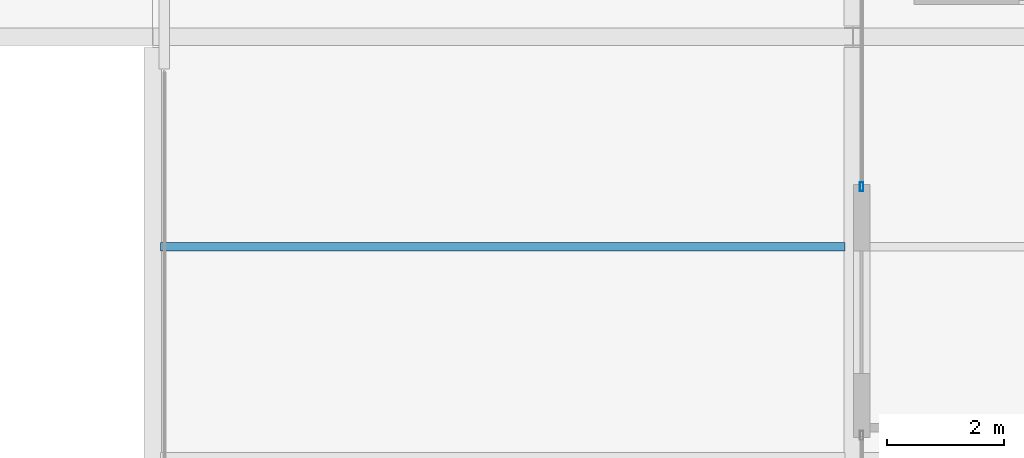
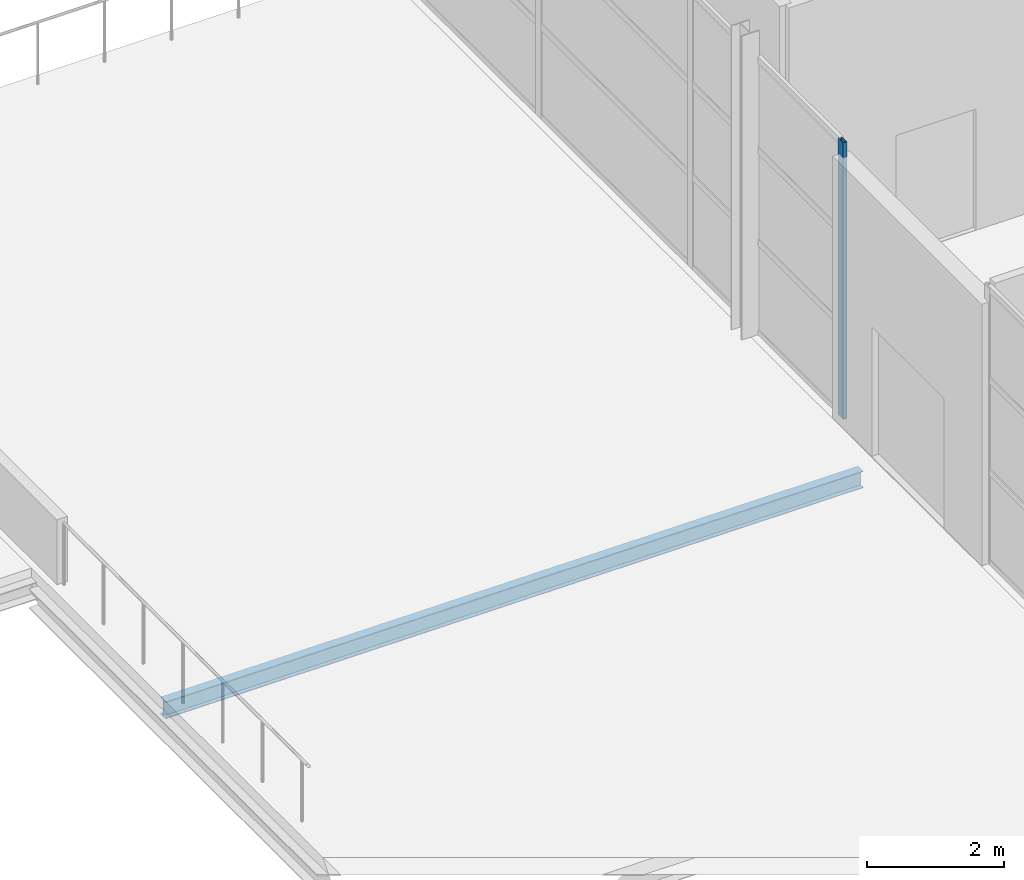
# One storey, part 10 of 34: 1 beam, 1 member, 1 element without a shape of its own.
"""IFC4 building model written with IfcOpenShell, lengths in metres."""

import ifcopenshell
import ifcopenshell.guid

model = None  # the IFC model being written
_history = None  # IfcOwnerHistory: only IFC2X3 demands one
_inside = {}  # id of a spatial element -> (the spatial element, [elements in it])
_under = {}  # id of a project, library or spatial element -> (it, [spatial elements below it])
_declared = {}  # id of a project -> (the project, [libraries it declares])
_typed = {}  # id of a type object -> (the type object, [elements of that type])
_made_of = {}  # id of a material, layer set ... -> (it, [elements and type objects made of it])


def new_model(schema):
    """Start an empty IFC model of exactly this schema.

    Asked for "IFC4X3", IfcOpenShell would pick the latest addendum, in which some entities
    have other attributes; the version numbers below select the first issue.
    IFC2X3 requires an IfcOwnerHistory on every rooted entity: one is made here for all.
    """
    global model, _history
    if schema == "IFC4X3":
        model = ifcopenshell.file(schema_version=(4, 3, 0, 0))
    else:
        model = ifcopenshell.file(schema=schema)
    _inside.clear()
    _under.clear()
    _declared.clear()
    _typed.clear()
    _made_of.clear()
    _history = None
    if model.schema == "IFC2X3":
        org = make("IfcOrganization", Name="unknown")
        user = make(
            "IfcPersonAndOrganization",
            ThePerson=make("IfcPerson", FamilyName="unknown"),
            TheOrganization=org,
        )
        app = make(
            "IfcApplication",
            ApplicationDeveloper=org,
            Version="unknown",
            ApplicationFullName="unknown",
            ApplicationIdentifier="unknown",
        )
        _history = make(
            "IfcOwnerHistory",
            OwningUser=user,
            OwningApplication=app,
            ChangeAction="ADDED",
            CreationDate=0,
        )
    return model


def make(cls, **values):
    """One entity of the class cls with the attributes given. An attribute that is None is left unset."""
    return model.create_entity(
        cls, **{name: value for name, value in values.items() if value is not None}
    )


def rooted(cls, **values):
    """An entity with a GlobalId (a new one), such as an element, a storey or a relation."""
    return make(cls, GlobalId=ifcopenshell.guid.new(), OwnerHistory=_history, **values)


def si_unit(unit_type, name, prefix=None):
    """IfcSIUnit, for example si_unit("LENGTHUNIT", "METRE", prefix="MILLI")."""
    return make("IfcSIUnit", UnitType=unit_type, Prefix=prefix, Name=name)


def assignment(units):
    """IfcUnitAssignment: the units of a project."""
    return None if units is None else make("IfcUnitAssignment", Units=units)


def point(xyz):
    """IfcCartesianPoint."""
    return None if xyz is None else make("IfcCartesianPoint", Coordinates=xyz)


def direction(xyz):
    """IfcDirection."""
    return None if xyz is None else make("IfcDirection", DirectionRatios=xyz)


def frame(location, z_axis=None, x_axis=None):
    """IfcAxis2Placement3D, a coordinate frame: its origin and axes. An axis left out is left unset."""
    return make(
        "IfcAxis2Placement3D",
        Location=point(location),
        Axis=direction(z_axis),
        RefDirection=direction(x_axis),
    )


def frame_2d(location, x_axis=None):
    """IfcAxis2Placement2D, a coordinate frame in the plane: its origin and x axis."""
    return make(
        "IfcAxis2Placement2D", Location=point(location), RefDirection=direction(x_axis)
    )


def origin():
    """The frame at (0, 0, 0) with its axes left unset."""
    return frame((0.0, 0.0, 0.0))


def origin_2d():
    """The frame at (0, 0) in the plane with its x axis left unset."""
    return frame_2d((0.0, 0.0))


def place(relative_to, where):
    """IfcLocalPlacement: puts the frame where relative to a parent placement (None: the world)."""
    return make(
        "IfcLocalPlacement", PlacementRelTo=relative_to, RelativePlacement=where
    )


def context(
    kind, dimensions, precision=None, world=None, true_north=None, identifier=None
):
    """IfcGeometricRepresentationContext, for example the 3D "Model" context."""
    return make(
        "IfcGeometricRepresentationContext",
        ContextIdentifier=identifier,
        ContextType=kind,
        CoordinateSpaceDimension=dimensions,
        Precision=precision,
        WorldCoordinateSystem=world,
        TrueNorth=true_north,
    )


def subcontext(parent, identifier, kind, view, scale=None):
    """IfcGeometricRepresentationSubContext, for example "Body" below "Model"."""
    return make(
        "IfcGeometricRepresentationSubContext",
        ContextIdentifier=identifier,
        ContextType=kind,
        ParentContext=parent,
        TargetScale=scale,
        TargetView=view,
    )


def project(units=None, contexts=None):
    """IfcProject with its units and contexts."""
    return rooted(
        "IfcProject",
        Name="project",
        RepresentationContexts=contexts,
        UnitsInContext=assignment(units),
    )


def spatial(cls, under=None, at=None, **own):
    """A site, building, storey or space (cls), placed at a placement, below another one or the project."""
    s = rooted(cls, ObjectPlacement=at, **own)
    if under is not None:
        _under.setdefault(under.id(), (under, []))[1].append(s)
    return s


def profile(cls, at=None, kind="AREA", **sizes):
    """A parametric profile (cls). Its sizes go by their IFC names, for example OverallWidth=200.0."""
    return make(cls, ProfileType=kind, Position=at, **sizes)


def hollow_rectangle(**sizes):
    """IfcRectangleHollowProfileDef."""
    return profile("IfcRectangleHollowProfileDef", **sizes)


def i_section(**sizes):
    """IfcIShapeProfileDef."""
    return profile("IfcIShapeProfileDef", **sizes)


def extrude(swept, where, along, depth):
    """IfcExtrudedAreaSolid: the profile swept, set in the frame where, extruded along a direction by depth."""
    return make(
        "IfcExtrudedAreaSolid",
        SweptArea=swept,
        Position=where,
        ExtrudedDirection=direction(along),
        Depth=depth,
    )


def shape(context_of_items, identifier, shape_type, items):
    """IfcShapeRepresentation: the items that make up one representation, for example the "Body"."""
    return make(
        "IfcShapeRepresentation",
        ContextOfItems=context_of_items,
        RepresentationIdentifier=identifier,
        RepresentationType=shape_type,
        Items=items,
    )


def material(Name=None, Category=None):
    """IfcMaterial."""
    return make("IfcMaterial", Name=Name, Category=Category)


def layer(
    of_material, thickness, ventilated=None, Name=None, Category=None, Priority=None
):
    """IfcMaterialLayer: one layer of a wall or slab, of a material (None: an air gap)."""
    return make(
        "IfcMaterialLayer",
        Material=of_material,
        LayerThickness=thickness,
        IsVentilated=ventilated,
        Name=Name,
        Category=Category,
        Priority=Priority,
    )


def layer_set(layers, Name=None):
    """IfcMaterialLayerSet."""
    return make("IfcMaterialLayerSet", MaterialLayers=layers, LayerSetName=Name)


def material_profile(
    of_material, cross_section, Name=None, Category=None, Priority=None
):
    """IfcMaterialProfile: a cross section and its material."""
    return make(
        "IfcMaterialProfile",
        Name=Name,
        Material=of_material,
        Profile=cross_section,
        Priority=Priority,
        Category=Category,
    )


def profile_set(profiles, Name=None, composite=None):
    """IfcMaterialProfileSet."""
    return make(
        "IfcMaterialProfileSet",
        Name=Name,
        MaterialProfiles=profiles,
        CompositeProfile=composite,
    )


def made_of(thing, what):
    """Note that an element or type object is made of a material, layer set ...; save() writes the relation."""
    if what is not None:
        _made_of.setdefault(what.id(), (what, []))[1].append(thing)
    return thing


def type_object(cls, material=None, **own):
    """A type object (cls), such as IfcWallType, which elements share."""
    return made_of(rooted(cls, **own), material)


def element(
    cls,
    number,
    at=None,
    inside=None,
    cuts=None,
    type_object=None,
    material=None,
    context=None,
    identifier="Body",
    shape_type=None,
    held_by="IfcProductDefinitionShape",
    body=None,
    shapes=None,
    **own,
):
    """One element of the class cls, such as IfcWall. Its Tag is "e" and its number.

    at: its placement. inside: the storey or other place that contains it. cuts: it is an
    opening in that element (IfcRelVoidsElement). A single representation is given by context,
    identifier, shape_type and body (its items); several are given by shapes. held_by: the class
    of the entity that holds the representations. save() writes the other relations.
    """
    e = rooted(cls, Tag="e%d" % number, ObjectPlacement=at, **own)
    if body is not None:
        shapes = [shape(context, identifier, shape_type, body)]
    if shapes is not None:
        e.Representation = make(held_by, Representations=shapes)
    if inside is not None:
        _inside.setdefault(inside.id(), (inside, []))[1].append(e)
    if cuts is not None:
        rooted(
            "IfcRelVoidsElement", RelatingBuildingElement=cuts, RelatedOpeningElement=e
        )
    if type_object is not None:
        _typed.setdefault(type_object.id(), (type_object, []))[1].append(e)
    return made_of(e, material)


def aggregate(whole, parts):
    """IfcRelAggregates: a whole, such as a stair, and the parts it consists of."""
    return rooted("IfcRelAggregates", RelatingObject=whole, RelatedObjects=parts)


def save(model, path):
    """Write the relations noted so far, then the file.

    IfcRelAggregates (storeys below a building ...), IfcRelContainedInSpatialStructure (elements
    in a storey), IfcRelDefinesByType, IfcRelAssociatesMaterial and IfcRelDeclares: one each for
    every whole, place, type object, material and project.
    """
    for whole, parts in _under.values():
        aggregate(whole, parts)
    for where, things in _inside.values():
        rooted(
            "IfcRelContainedInSpatialStructure",
            RelatedElements=things,
            RelatingStructure=where,
        )
    for kind, things in _typed.values():
        rooted("IfcRelDefinesByType", RelatedObjects=things, RelatingType=kind)
    for what, things in _made_of.values():
        rooted("IfcRelAssociatesMaterial", RelatedObjects=things, RelatingMaterial=what)
    for by, libraries in _declared.values():
        rooted("IfcRelDeclares", RelatingContext=by, RelatedDefinitions=libraries)
    model.write(path)


model = new_model("IFC4")

# Units and contexts
model_context = context("Model", 3, precision=1e-05, world=origin(), true_north=direction((0.0, 1.0)))
body_context = subcontext(model_context, "Body", "Model", "MODEL_VIEW")
ifc_project = project(units=[si_unit("LENGTHUNIT", "METRE"), si_unit("AREAUNIT", "SQUARE_METRE"), si_unit("VOLUMEUNIT", "CUBIC_METRE"), si_unit("PLANEANGLEUNIT", "RADIAN"), si_unit("MASSUNIT", "GRAM", prefix="KILO")], contexts=[model_context])

# Site, building, storey
site_placement = place(None, origin())
site = spatial("IfcSite", under=ifc_project, at=site_placement, CompositionType="ELEMENT")
building_placement = place(site_placement, origin())
building = spatial("IfcBuilding", under=site, at=building_placement, Name="Tamarisk Ironworks Central Station", CompositionType="ELEMENT")
storey_placement = place(building_placement, frame((0.0, 0.0, 25.199951171875)))
storey = spatial("IfcBuildingStorey", under=building, at=storey_placement, Name="L05", CompositionType="ELEMENT", Elevation=25.199951171875)

# Beam
ifc_material_1 = material(Name="Structural steel S355J2", Category="steel")
ifc_material_profile_1 = material_profile(ifc_material_1, i_section(OverallWidth=0.14990234375, OverallDepth=0.300048828125, WebThickness=0.007080078125, FlangeThickness=0.0107421875, at=origin_2d()), Name="IPE 300")
ifc_profile_set_1 = profile_set([ifc_material_profile_1], Name="Structural steel S355J2")
beam_type = type_object("IfcBeamType", Name="BM-B07", PredefinedType="BEAM", material=ifc_profile_set_1)
beam_placement = place(storey_placement, frame((128.135009765625, 108.0, -0.349853515625), z_axis=(1.0, 0.0, 0.0), x_axis=(0.0, 1.0, 0.0)))
element("IfcBeam", 1, at=beam_placement, inside=storey, type_object=beam_type, Name="L05 secondary composite beam 0265", PredefinedType="BEAM", context=body_context, shape_type="SweptSolid", body=[
    extrude(i_section(OverallWidth=0.14990234375, OverallDepth=0.300048828125, WebThickness=0.007080078125, FlangeThickness=0.0107421875, at=origin_2d()), origin(), (0.0, 0.0, 1.0), 11.72998046875),
])

# Curtain wall, member
ifc_material_2 = material(Name="Anodized aluminium alloy 6063-T6", Category="aluminium")
ifc_layer = layer(ifc_material_2, 0.179931640625)
ifc_layer_set = layer_set([ifc_layer], Name="Anodized aluminium alloy 6063-T6")
curtain_wall_type = type_object("IfcCurtainWallType", Name="CW-20", PredefinedType="USERDEFINED", material=ifc_layer_set)
curtain_wall_placement = place(storey_placement, origin())
curtain_wall = element("IfcCurtainWall", 2, at=curtain_wall_placement, inside=storey, type_object=curtain_wall_type, Name="Crown terrace overlook curtain wall L05-159", ObjectType="GLAZED CURTAIN WALL", PredefinedType="USERDEFINED")
ifc_material_profile_2 = material_profile(ifc_material_2, hollow_rectangle(XDim=0.06005859375, YDim=0.14990234375, WallThickness=0.00341796875, at=origin_2d()), Name="ALUM 150x60")
ifc_profile_set_2 = profile_set([ifc_material_profile_2], Name="Anodized aluminium alloy 6063-T6")
member_type = type_object("IfcMemberType", Name="CWM-03", PredefinedType="MULLION", material=ifc_profile_set_2)
member_placement = place(storey_placement, frame((140.14990234375, 109.030029296875, 0.0), z_axis=(0.0, 0.0, 1.0), x_axis=(-1.0, 0.0, 0.0)))
member = element("IfcMember", 3, at=member_placement, type_object=member_type, Name="CW20 mullion 1", PredefinedType="MULLION", context=body_context, shape_type="SweptSolid", body=[
    extrude(hollow_rectangle(XDim=0.06005859375, YDim=0.14990234375, WallThickness=0.00341796875, at=origin_2d()), origin(), (0.0, 0.0, 1.0), 4.920166015625),
])
aggregate(curtain_wall, [member])

save(model, "model.ifc")
